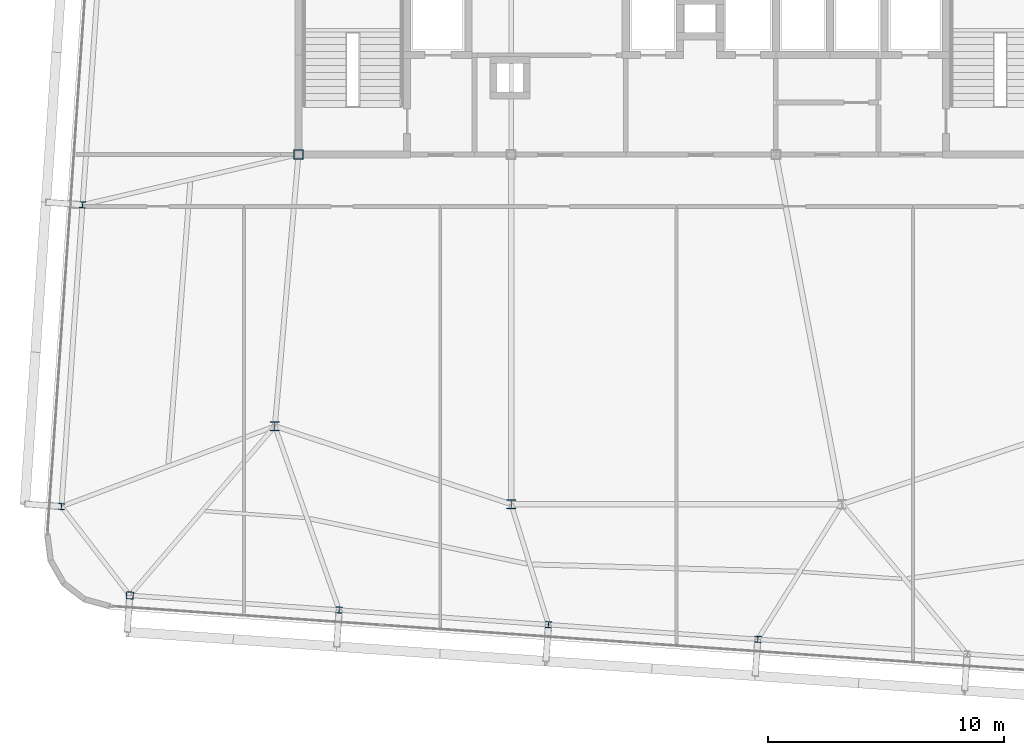
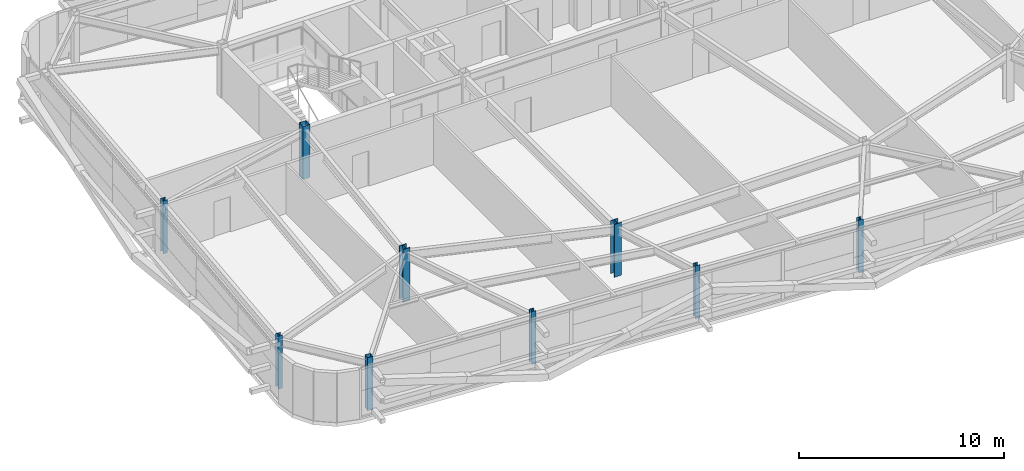
# One storey, part 1 of 39: 9 columns.
"""IFC4 building model written with IfcOpenShell, lengths in metres."""

from ifc_helpers import new_model, si_unit, direction, frame, origin, origin_2d, place, context, subcontext, project, spatial, hollow_rectangle, i_section, extrude, source, transform, mapped, material, material_profile, profile_set, type_object, element, save


model = new_model("IFC4")

# Units and contexts
model_context = context("Model", 3, precision=1e-05, world=origin(), true_north=direction((0.0, 1.0)))
body_context = subcontext(model_context, "Body", "Model", "MODEL_VIEW")
ifc_project = project(units=[si_unit("LENGTHUNIT", "METRE"), si_unit("AREAUNIT", "SQUARE_METRE"), si_unit("VOLUMEUNIT", "CUBIC_METRE"), si_unit("PLANEANGLEUNIT", "RADIAN"), si_unit("MASSUNIT", "GRAM", prefix="KILO")], contexts=[model_context])

# Site, building, storey
site_placement = place(None, origin())
site = spatial("IfcSite", under=ifc_project, at=site_placement, CompositionType="ELEMENT")
building_placement = place(site_placement, origin())
building = spatial("IfcBuilding", under=site, at=building_placement, Name="Taldren Reach Tower", CompositionType="ELEMENT")
storey_placement = place(building_placement, frame((0.0, 0.0, 148.75)))
storey = spatial("IfcBuildingStorey", under=building, at=storey_placement, Name="L45", CompositionType="ELEMENT", Elevation=148.75)

# Columns
ifc_material_1 = material(Name="Steel Gr 350 (350PLUS)", Category="steel")
ifc_material_profile_1 = material_profile(ifc_material_1, i_section(OverallWidth=0.39990234375, OverallDepth=0.39599609375, WebThickness=0.02197265625, FlangeThickness=0.033935546875, at=origin_2d()), Name="400WC270")
ifc_profile_set_1 = profile_set([ifc_material_profile_1], Name="Steel Gr 350 (350PLUS)")
column_type_1 = type_object("IfcColumnType", Name="COL-WC400", PredefinedType="COLUMN", material=ifc_profile_set_1)
shared_shape_1 = source(origin(), body_context, "Body", "SweptSolid", [
    extrude(i_section(OverallWidth=0.39990234375, OverallDepth=0.39599609375, WebThickness=0.02197265625, FlangeThickness=0.033935546875, at=origin_2d()), origin(), (0.0, 0.0, 1.0), 3.14990234375),
])
for number, where, z_axis, x_axis, name in (
    (1, (28.0, 9.199951171875, 0.0), (0.0, 0.0, 1.0), (1.0, 0.0, 0.0), "Mega column MC-PJW L45"),
    (2, (18.0, 12.5, 0.0), (0.0, 0.0, 1.0), (1.0, 0.0, 0.0), "Mega column MC-SW L45"),
):
    element("IfcColumn", number, at=place(storey_placement, frame(where, z_axis=z_axis, x_axis=x_axis)), inside=storey, type_object=column_type_1, Name=name, PredefinedType="COLUMN", context=body_context, shape_type="MappedRepresentation", body=[
        mapped(shared_shape_1, transform((0.0, 0.0, 0.0), scale=1.0)),
    ])
ifc_material_2 = material(Name="Steel Gr 450 (C450L0)", Category="steel")
ifc_material_profile_2 = material_profile(ifc_material_2, hollow_rectangle(XDim=0.39990234375, YDim=0.39990234375, WallThickness=0.01611328125, at=origin_2d()), Name="400x400x16.0SHS")
ifc_profile_set_2 = profile_set([ifc_material_profile_2], Name="Steel Gr 450 (C450L0)")
column_type_2 = type_object("IfcColumnType", Name="COL-SHS400", PredefinedType="COLUMN", material=ifc_profile_set_2)
shared_shape_2 = source(origin(), body_context, "Body", "SweptSolid", [
    extrude(hollow_rectangle(XDim=0.39990234375, YDim=0.39990234375, WallThickness=0.01611328125, at=origin_2d()), origin(), (0.0, 0.0, 1.0), 3.14990234375),
])
column_1_placement = place(storey_placement, frame((19.0, 24.0, 0.0), z_axis=(0.0, 0.0, 1.0), x_axis=(1.0, 0.0, 0.0)))
element("IfcColumn", 3, at=column_1_placement, inside=storey, type_object=column_type_2, Name="Mega column MC-C1 L45", PredefinedType="COLUMN", context=body_context, shape_type="MappedRepresentation", body=[
    mapped(shared_shape_2, transform((0.0, 0.0, 0.0), scale=1.0)),
])
ifc_material_profile_3 = material_profile(ifc_material_2, hollow_rectangle(XDim=0.300048828125, YDim=0.300048828125, WallThickness=0.012451171875, at=origin_2d()), Name="300x300x12.5SHS")
ifc_profile_set_3 = profile_set([ifc_material_profile_3], Name="Steel Gr 450 (C450L0)")
column_type_3 = type_object("IfcColumnType", Name="COL-SHS300", PredefinedType="COLUMN", material=ifc_profile_set_3)
shared_shape_3 = source(origin(), body_context, "Body", "SweptSolid", [
    extrude(hollow_rectangle(XDim=0.300048828125, YDim=0.300048828125, WallThickness=0.012451171875, at=origin_2d()), origin(), (0.0, 0.0, 1.0), 3.14990234375),
])
column_2_placement = place(storey_placement, frame((11.863525390625, 5.33837890625, 0.0), z_axis=(0.0, 0.0, 1.0), x_axis=(0.99756405026, -0.069756473744, 0.0)))
element("IfcColumn", 4, at=column_2_placement, inside=storey, type_object=column_type_3, Name="Block B3 perimeter column S1 L45", PredefinedType="COLUMN", context=body_context, shape_type="MappedRepresentation", body=[
    mapped(shared_shape_3, transform((0.0, 0.0, 0.0), scale=1.0)),
])
ifc_material_profile_4 = material_profile(ifc_material_1, i_section(OverallWidth=0.256103515625, OverallDepth=0.260009765625, WebThickness=0.010498046875, FlangeThickness=0.017333984375, at=origin_2d()), Name="250UC89.5")
ifc_profile_set_4 = profile_set([ifc_material_profile_4], Name="Steel Gr 350 (350PLUS)")
column_type_4 = type_object("IfcColumnType", Name="COL-UC250", PredefinedType="COLUMN", material=ifc_profile_set_4)
shared_shape_4 = source(origin(), body_context, "Body", "SweptSolid", [
    extrude(i_section(OverallWidth=0.256103515625, OverallDepth=0.260009765625, WebThickness=0.010498046875, FlangeThickness=0.017333984375, at=origin_2d()), origin(), (0.0, 0.0, 1.0), 3.14990234375),
])
for number, where, z_axis, x_axis, name in (
    (5, (20.721923828125, 4.718994140625, 0.0), (0.0, 0.0, 1.0), (0.99756405026, -0.069756473744, 0.0), "Block B3 perimeter column S2 L45"),
    (6, (29.580322265625, 4.099609375, 0.0), (0.0, 0.0, 1.0), (0.99756405026, -0.069756473744, 0.0), "Block B3 perimeter column S3 L45"),
    (7, (38.438720703125, 3.480224609375, 0.0), (0.0, 0.0, 1.0), (0.99756405026, -0.069756473744, 0.0), "Block B3 perimeter column S4 L45"),
    (8, (8.96875, 9.099609375, 0.0), (0.0, 0.0, 1.0), (0.99756405026, -0.069756473744, 0.0), "Block B3 perimeter column W1 L45"),
    (9, (9.86181640625, 21.868408203125, 0.0), (0.0, 0.0, 1.0), (0.99756405026, -0.069756473744, 0.0), "Block B3 perimeter column W2 L45"),
):
    element("IfcColumn", number, at=place(storey_placement, frame(where, z_axis=z_axis, x_axis=x_axis)), inside=storey, type_object=column_type_4, Name=name, PredefinedType="COLUMN", context=body_context, shape_type="MappedRepresentation", body=[
        mapped(shared_shape_4, transform((0.0, 0.0, 0.0), scale=1.0)),
    ])

save(model, "model.ifc")
